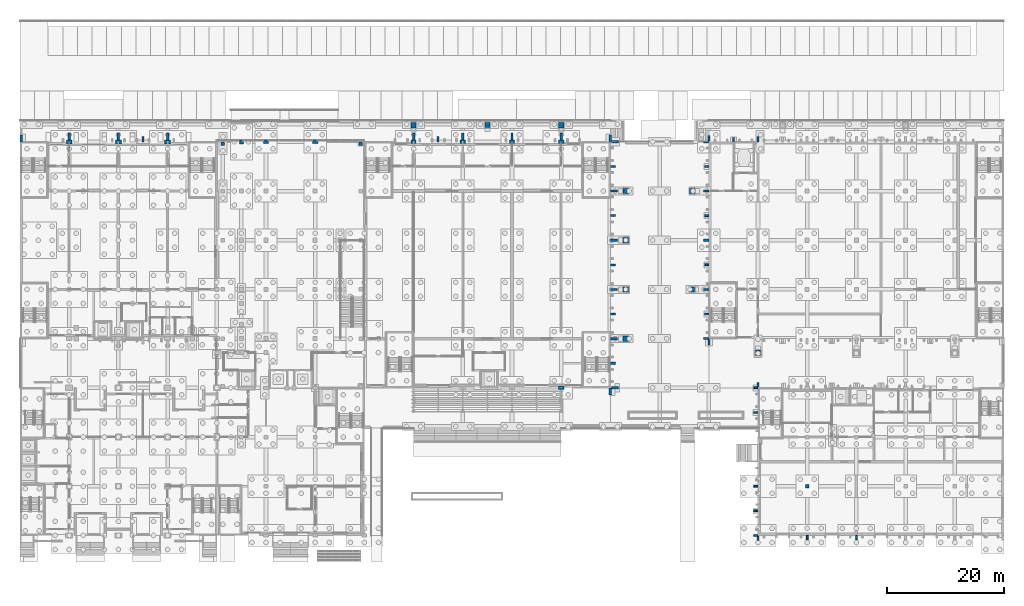
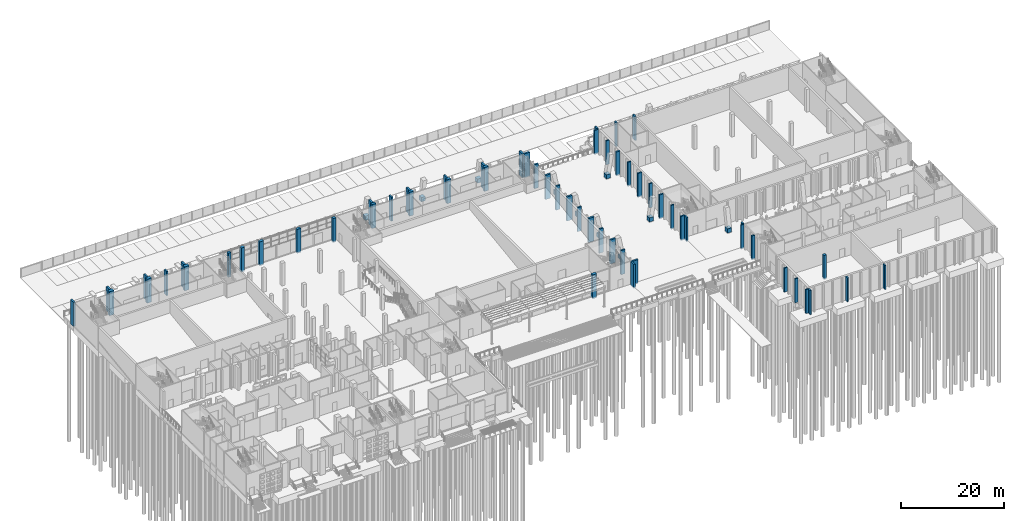
# One storey, part 15 of 129: 69 columns.
"""IFC4 building model written with IfcOpenShell, lengths in metres."""

from ifc_helpers import new_model, si_unit, direction, frame, origin, origin_2d, place, context, subcontext, project, spatial, rectangle, extrude, material, material_profile, profile_set, type_object, element, save


model = new_model("IFC4")

# Units and contexts
model_context = context("Model", 3, precision=1e-05, world=origin(), true_north=direction((0.0, 1.0)))
body_context = subcontext(model_context, "Body", "Model", "MODEL_VIEW")
ifc_project = project(units=[si_unit("LENGTHUNIT", "METRE"), si_unit("AREAUNIT", "SQUARE_METRE"), si_unit("VOLUMEUNIT", "CUBIC_METRE"), si_unit("PLANEANGLEUNIT", "RADIAN"), si_unit("MASSUNIT", "GRAM", prefix="KILO")], contexts=[model_context])

# Site, building, storey
site_placement = place(None, origin())
site = spatial("IfcSite", under=ifc_project, at=site_placement, CompositionType="ELEMENT")
building_placement = place(site_placement, origin())
building = spatial("IfcBuilding", under=site, at=building_placement, Name="Kiln Court Media Centre", CompositionType="ELEMENT")
storey_placement = place(building_placement, origin())
storey = spatial("IfcBuildingStorey", under=building, at=storey_placement, Name="L00", CompositionType="ELEMENT", Elevation=0.0)

# Columns
ifc_material_1 = material(Name="Concrete C40/50", Category="concrete")
ifc_material_profile_1 = material_profile(ifc_material_1, rectangle(XDim=1.0, YDim=0.699951171875, at=origin_2d()), Name="RC 1000x700")
ifc_profile_set_1 = profile_set([ifc_material_profile_1], Name="Concrete C40/50")
column_type_1 = type_object("IfcColumnType", Name="Concrete C40/50 column 1000x700", PredefinedType="COLUMN", material=ifc_profile_set_1)
for number, where, z_axis, x_axis, name in (
    (1, (8.39990234375, 67.199951171875, -0.300048828125), (0.0, 0.0, 1.0), (1.0, 0.0, 0.0), "L00-C-1025"),
    (2, (16.800048828125, 67.199951171875, -0.300048828125), (0.0, 0.0, 1.0), (1.0, 0.0, 0.0), "L00-C-1027"),
    (3, (25.199951171875, 67.199951171875, -0.300048828125), (0.0, 0.0, 1.0), (1.0, 0.0, 0.0), "L00-C-1029"),
):
    element("IfcColumn", number, at=place(storey_placement, frame(where, z_axis=z_axis, x_axis=x_axis)), inside=storey, type_object=column_type_1, Name=name, PredefinedType="COLUMN", context=body_context, shape_type="SweptSolid", body=[
        extrude(rectangle(XDim=1.0, YDim=0.699951171875, at=origin_2d()), origin(), (0.0, 0.0, 1.0), 5.699951171875),
    ])
ifc_material_2 = material(Name="Concrete C40/50", Category="concrete")
ifc_material_profile_2 = material_profile(ifc_material_2, rectangle(XDim=0.60009765625, YDim=0.60009765625, at=origin_2d()), Name="RC 600x600")
ifc_profile_set_2 = profile_set([ifc_material_profile_2], Name="Concrete C40/50")
column_type_2 = type_object("IfcColumnType", Name="Concrete C40/50 column 600x600", PredefinedType="COLUMN", material=ifc_profile_set_2)
for number, where, z_axis, x_axis, name in (
    (4, (134.39990234375, 8.39990234375, -0.300048828125), (0.0, 0.0, 1.0), (1.0, 0.0, 0.0), "L00-C-1058"),
    (5, (34.64990234375, 66.89990234375, -0.300048828125), (0.0, 0.0, 1.0), (1.0, 0.0, 0.0), "L00-C-1073"),
    (6, (58.14990234375, 66.89990234375, -0.300048828125), (0.0, 0.0, 1.0), (1.0, 0.0, 0.0), "L00-C-1079"),
):
    element("IfcColumn", number, at=place(storey_placement, frame(where, z_axis=z_axis, x_axis=x_axis)), inside=storey, type_object=column_type_2, Name=name, PredefinedType="COLUMN", context=body_context, shape_type="SweptSolid", body=[
        extrude(rectangle(XDim=0.60009765625, YDim=0.60009765625, at=origin_2d()), origin(), (0.0, 0.0, 1.0), 5.699951171875),
    ])
ifc_material_3 = material(Name="Concrete C40/50", Category="concrete")
ifc_material_profile_3 = material_profile(ifc_material_3, rectangle(XDim=0.699951171875, YDim=0.699951171875, at=origin_2d()), Name="RC 700x700")
ifc_profile_set_3 = profile_set([ifc_material_profile_3], Name="Concrete C40/50")
column_type_3 = type_object("IfcColumnType", Name="Concrete C40/50 column 700x700", PredefinedType="COLUMN", material=ifc_profile_set_3)
column_placement = place(storey_placement, frame((37.800048828125, 67.199951171875, -0.300048828125), z_axis=(0.0, 0.0, 1.0), x_axis=(1.0, 0.0, 0.0)))
element("IfcColumn", 7, at=column_placement, inside=storey, type_object=column_type_3, Name="L00-C-1102", PredefinedType="COLUMN", context=body_context, shape_type="SweptSolid", body=[
    extrude(rectangle(XDim=0.699951171875, YDim=0.699951171875, at=origin_2d()), origin(), (0.0, 0.0, 1.0), 5.699951171875),
])
ifc_material_4 = material(Name="Concrete C40/50", Category="concrete")
ifc_material_profile_4 = material_profile(ifc_material_4, rectangle(XDim=0.89990234375, YDim=0.60009765625, at=origin_2d()), Name="RC 900x600")
ifc_profile_set_4 = profile_set([ifc_material_profile_4], Name="Concrete C40/50")
column_type_4 = type_object("IfcColumnType", Name="Concrete C40/50 column 900x600", PredefinedType="COLUMN", material=ifc_profile_set_4)
for number, where, z_axis, x_axis, name in (
    (8, (42.0, 67.199951171875, -0.300048828125), (0.0, 0.0, 1.0), (1.0, 0.0, 0.0), "L00-C-1035"),
    (9, (50.39990234375, 67.199951171875, -0.300048828125), (0.0, 0.0, 1.0), (1.0, 0.0, 0.0), "L00-C-1040"),
    (10, (67.199951171875, 67.199951171875, -0.300048828125), (0.0, 0.0, 1.0), (1.0, 0.0, 0.0), "L00-C-1041"),
    (11, (75.60009765625, 67.199951171875, -0.300048828125), (0.0, 0.0, 1.0), (1.0, 0.0, 0.0), "L00-C-1043"),
    (12, (84.0, 67.199951171875, -0.300048828125), (0.0, 0.0, 1.0), (1.0, 0.0, 0.0), "L00-C-1045"),
    (13, (92.39990234375, 25.199951171875, -0.300048828125), (0.0, 0.0, 1.0), (1.0, 0.0, 0.0), "L00-C-1046"),
    (14, (92.39990234375, 67.199951171875, -0.300048828125), (0.0, 0.0, 1.0), (1.0, 0.0, 0.0), "L00-C-1047"),
):
    element("IfcColumn", number, at=place(storey_placement, frame(where, z_axis=z_axis, x_axis=x_axis)), inside=storey, type_object=column_type_4, Name=name, PredefinedType="COLUMN", context=body_context, shape_type="SweptSolid", body=[
        extrude(rectangle(XDim=0.89990234375, YDim=0.60009765625, at=origin_2d()), origin(), (0.0, 0.0, 1.0), 5.699951171875),
    ])
ifc_material_5 = material(Name="Concrete C40/50", Category="concrete")
ifc_material_profile_5 = material_profile(ifc_material_5, rectangle(XDim=0.89990234375, YDim=0.89990234375, at=origin_2d()), Name="RC 900x900")
ifc_profile_set_5 = profile_set([ifc_material_profile_5], Name="Concrete C40/50")
column_type_5 = type_object("IfcColumnType", Name="Concrete C40/50 column 900x900", PredefinedType="COLUMN", material=ifc_profile_set_5)
for number, where, z_axis, x_axis, name in (
    (15, (103.413330078125, 33.60009765625, 0.0), (0.0, 0.0, 1.0), (1.0, 0.0, 0.0), "L00-C-1080"),
    (16, (103.413330078125, 42.0, 0.0), (0.0, 0.0, 1.0), (1.0, 0.0, 0.0), "L00-C-1081"),
    (17, (103.413330078125, 50.39990234375, 0.0), (0.0, 0.0, 1.0), (1.0, 0.0, 0.0), "L00-C-1082"),
    (18, (103.413330078125, 58.800048828125, 0.0), (0.0, 0.0, 1.0), (1.0, 0.0, 0.0), "L00-C-1083"),
    (19, (67.199951171875, 70.044189453125, 0.0), (0.0, 0.0, 1.0), (1.0, 0.0, 0.0), "L00-C-1084"),
    (20, (79.800048828125, 70.056640625, 0.0), (0.0, 0.0, 1.0), (1.0, 0.0, 0.0), "L00-C-1085"),
    (21, (92.39990234375, 70.044189453125, 0.0), (0.0, 0.0, 1.0), (1.0, 0.0, 0.0), "L00-C-1086"),
    (22, (126.0, 31.17333984375, 0.0), (0.0, 0.0, 1.0), (1.0, 0.0, 0.0), "L00-C-1087"),
    (23, (114.73974609375, 42.0, 0.0), (0.0, 0.0, 1.0), (1.0, 0.0, 0.0), "L00-C-1092"),
    (24, (114.772705078125, 58.800048828125, 0.0), (0.0, 0.0, 1.0), (1.0, 0.0, 0.0), "L00-C-1093"),
):
    element("IfcColumn", number, at=place(storey_placement, frame(where, z_axis=z_axis, x_axis=x_axis)), inside=storey, type_object=column_type_5, Name=name, PredefinedType="COLUMN", context=body_context, shape_type="SweptSolid", body=[
        extrude(rectangle(XDim=0.89990234375, YDim=0.89990234375, at=origin_2d()), origin(), (0.0, 0.0, 1.0), 1.0),
    ])
ifc_material_6 = material(Name="Concrete C40/50", Category="concrete")
ifc_material_profile_6 = material_profile(ifc_material_6, rectangle(XDim=0.300048828125, YDim=0.699951171875, at=origin_2d()), Name="RC 300x700")
ifc_profile_set_6 = profile_set([ifc_material_profile_6], Name="Concrete C40/50")
column_type_6 = type_object("IfcColumnType", Name="Concrete C40/50 pilaster rib 300x700", PredefinedType="PILASTER", material=ifc_profile_set_6)
for number, where, z_axis, x_axis, name in (
    (25, (121.800048828125, 67.550048828125, -0.300048828125), (0.0, 0.0, 1.0), (1.0, 0.0, 0.0), "V2 N rib L00"),
    (26, (117.25, 37.800048828125, -0.300048828125), (0.0, 0.0, 1.0), (0.0, 1.0, 0.0), "V2 W rib L00"),
    (27, (117.25, 46.199951171875, -0.300048828125), (0.0, 0.0, 1.0), (0.0, 1.0, 0.0), "V2 W rib L00"),
    (28, (117.25, 54.60009765625, -0.300048828125), (0.0, 0.0, 1.0), (0.0, 1.0, 0.0), "V2 W rib L00"),
    (29, (117.25, 63.0, -0.300048828125), (0.0, 0.0, 1.0), (0.0, 1.0, 0.0), "V2 W rib L00"),
    (30, (126.0, -0.5, -0.300048828125), (0.0, 0.0, 1.0), (1.0, 0.0, 0.0), "V5 S rib L00"),
    (31, (134.39990234375, -0.35009765625, -0.300048828125), (0.0, 0.0, 1.0), (1.0, 0.0, 0.0), "V5 S rib L00"),
    (32, (142.800048828125, -0.35009765625, -0.300048828125), (0.0, 0.0, 1.0), (1.0, 0.0, 0.0), "V5 S rib L00"),
    (33, (126.0, 25.699951171875, -0.300048828125), (0.0, 0.0, 1.0), (1.0, 0.0, 0.0), "V5 N rib L00"),
    (34, (125.64990234375, 0.0, -0.300048828125), (0.0, 0.0, 1.0), (0.0, 1.0, 0.0), "V5 W rib L00"),
    (35, (125.64990234375, 4.199951171875, -0.300048828125), (0.0, 0.0, 1.0), (0.0, 1.0, 0.0), "V5 W rib L00"),
    (36, (125.64990234375, 8.39990234375, -0.300048828125), (0.0, 0.0, 1.0), (0.0, 1.0, 0.0), "V5 W rib L00"),
    (37, (125.64990234375, 21.0, -0.300048828125), (0.0, 0.0, 1.0), (0.0, 1.0, 0.0), "V5 W rib L00"),
    (38, (125.64990234375, 25.199951171875, -0.300048828125), (0.0, 0.0, 1.0), (0.0, 1.0, 0.0), "V5 W rib L00"),
):
    element("IfcColumn", number, at=place(storey_placement, frame(where, z_axis=z_axis, x_axis=x_axis)), inside=storey, type_object=column_type_6, Name=name, PredefinedType="PILASTER", context=body_context, shape_type="SweptSolid", body=[
        extrude(rectangle(XDim=0.300048828125, YDim=0.699951171875, at=origin_2d()), origin(), (0.0, 0.0, 1.0), 5.699951171875),
    ])
ifc_material_7 = material(Name="Concrete C40/50", Category="concrete")
ifc_material_profile_7 = material_profile(ifc_material_7, rectangle(XDim=0.35009765625, YDim=0.89990234375, at=origin_2d()), Name="RC 350x900")
ifc_profile_set_7 = profile_set([ifc_material_profile_7], Name="Concrete C40/50")
column_type_7 = type_object("IfcColumnType", Name="Concrete C40/50 pilaster rib 350x900", PredefinedType="PILASTER", material=ifc_profile_set_7)
for number, where, z_axis, x_axis, name in (
    (39, (101.25, 29.39990234375, -0.300048828125), (0.0, 0.0, 1.0), (0.0, 1.0, 0.0), "V1 E rib L00"),
    (40, (101.25, 37.800048828125, -0.300048828125), (0.0, 0.0, 1.0), (0.0, 1.0, 0.0), "V1 E rib L00"),
    (41, (101.25, 46.199951171875, -0.300048828125), (0.0, 0.0, 1.0), (0.0, 1.0, 0.0), "V1 E rib L00"),
    (42, (101.25, 54.60009765625, -0.300048828125), (0.0, 0.0, 1.0), (0.0, 1.0, 0.0), "V1 E rib L00"),
    (43, (101.25, 63.0, -0.300048828125), (0.0, 0.0, 1.0), (0.0, 1.0, 0.0), "V1 E rib L00"),
    (44, (71.39990234375, 67.64990234375, -0.300048828125), (0.0, 0.0, 1.0), (1.0, 0.0, 0.0), "V1 N rib L00"),
    (45, (117.60009765625, 32.97509765625, -0.300048828125), (0.0, 0.0, 1.0), (1.0, 0.0, 0.0), "V2 S rib L00"),
    (46, (117.60009765625, 67.824951171875, -0.300048828125), (0.0, 0.0, 1.0), (1.0, 0.0, 0.0), "V2 N rib L00"),
    (47, (126.0, 67.64990234375, -0.300048828125), (0.0, 0.0, 1.0), (1.0, 0.0, 0.0), "V2 N rib L00"),
    (48, (117.14990234375, 33.60009765625, -0.300048828125), (0.0, 0.0, 1.0), (0.0, 1.0, 0.0), "V2 W rib L00"),
    (49, (117.14990234375, 42.0, -0.300048828125), (0.0, 0.0, 1.0), (0.0, 1.0, 0.0), "V2 W rib L00"),
    (50, (117.14990234375, 50.39990234375, -0.300048828125), (0.0, 0.0, 1.0), (0.0, 1.0, 0.0), "V2 W rib L00"),
    (51, (117.14990234375, 58.800048828125, -0.300048828125), (0.0, 0.0, 1.0), (0.0, 1.0, 0.0), "V2 W rib L00"),
    (52, (117.14990234375, 67.199951171875, -0.300048828125), (0.0, 0.0, 1.0), (0.0, 1.0, 0.0), "V2 W rib L00"),
    (53, (21.0, 67.64990234375, -0.300048828125), (0.0, 0.0, 1.0), (1.0, 0.0, 0.0), "V4 N rib L00"),
):
    element("IfcColumn", number, at=place(storey_placement, frame(where, z_axis=z_axis, x_axis=x_axis)), inside=storey, type_object=column_type_7, Name=name, PredefinedType="PILASTER", context=body_context, shape_type="SweptSolid", body=[
        extrude(rectangle(XDim=0.35009765625, YDim=0.89990234375, at=origin_2d()), origin(), (0.0, 0.0, 1.0), 5.699951171875),
    ])
ifc_material_8 = material(Name="Concrete C40/50", Category="concrete")
ifc_material_profile_8 = material_profile(ifc_material_8, rectangle(XDim=0.39990234375, YDim=1.199951171875, at=origin_2d()), Name="RC 400x1200")
ifc_profile_set_8 = profile_set([ifc_material_profile_8], Name="Concrete C40/50")
column_type_8 = type_object("IfcColumnType", Name="Concrete C40/50 pilaster rib 400x1200", PredefinedType="PILASTER", material=ifc_profile_set_8)
for number, where, z_axis, x_axis, name in (
    (54, (100.800048828125, 24.60009765625, -0.300048828125), (0.0, 0.0, 1.0), (1.0, 0.0, 0.0), "V1 S rib L00"),
    (55, (101.60009765625, 25.199951171875, -0.300048828125), (0.0, 0.0, 1.0), (0.0, 1.0, 0.0), "V1 E rib L00"),
    (56, (101.39990234375, 33.60009765625, -0.300048828125), (0.0, 0.0, 1.0), (0.0, 1.0, 0.0), "V1 E rib L00"),
    (57, (101.39990234375, 42.0, -0.300048828125), (0.0, 0.0, 1.0), (0.0, 1.0, 0.0), "V1 E rib L00"),
    (58, (101.39990234375, 50.39990234375, -0.300048828125), (0.0, 0.0, 1.0), (0.0, 1.0, 0.0), "V1 E rib L00"),
    (59, (101.39990234375, 58.800048828125, -0.300048828125), (0.0, 0.0, 1.0), (0.0, 1.0, 0.0), "V1 E rib L00"),
    (60, (101.60009765625, 67.199951171875, -0.300048828125), (0.0, 0.0, 1.0), (0.0, 1.0, 0.0), "V1 E rib L00"),
    (61, (67.199951171875, 68.10009765625, -0.300048828125), (0.0, 0.0, 1.0), (1.0, 0.0, 0.0), "V1 N rib L00"),
    (62, (75.60009765625, 68.10009765625, -0.300048828125), (0.0, 0.0, 1.0), (1.0, 0.0, 0.0), "V1 N rib L00"),
    (63, (84.0, 68.10009765625, -0.300048828125), (0.0, 0.0, 1.0), (1.0, 0.0, 0.0), "V1 N rib L00"),
    (64, (92.39990234375, 68.10009765625, -0.300048828125), (0.0, 0.0, 1.0), (1.0, 0.0, 0.0), "V1 N rib L00"),
    (65, (100.800048828125, 67.800048828125, -0.300048828125), (0.0, 0.0, 1.0), (1.0, 0.0, 0.0), "V1 N rib L00"),
    (66, (0.199951171875, 67.800048828125, -0.300048828125), (0.0, 0.0, 1.0), (1.0, 0.0, 0.0), "V4 N rib L00"),
    (67, (8.39990234375, 68.14990234375, -0.300048828125), (0.0, 0.0, 1.0), (1.0, 0.0, 0.0), "V4 N rib L00"),
    (68, (16.800048828125, 68.14990234375, -0.300048828125), (0.0, 0.0, 1.0), (1.0, 0.0, 0.0), "V4 N rib L00"),
    (69, (25.199951171875, 68.14990234375, -0.300048828125), (0.0, 0.0, 1.0), (1.0, 0.0, 0.0), "V4 N rib L00"),
):
    element("IfcColumn", number, at=place(storey_placement, frame(where, z_axis=z_axis, x_axis=x_axis)), inside=storey, type_object=column_type_8, Name=name, PredefinedType="PILASTER", context=body_context, shape_type="SweptSolid", body=[
        extrude(rectangle(XDim=0.39990234375, YDim=1.199951171875, at=origin_2d()), origin(), (0.0, 0.0, 1.0), 5.699951171875),
    ])

save(model, "model.ifc")
